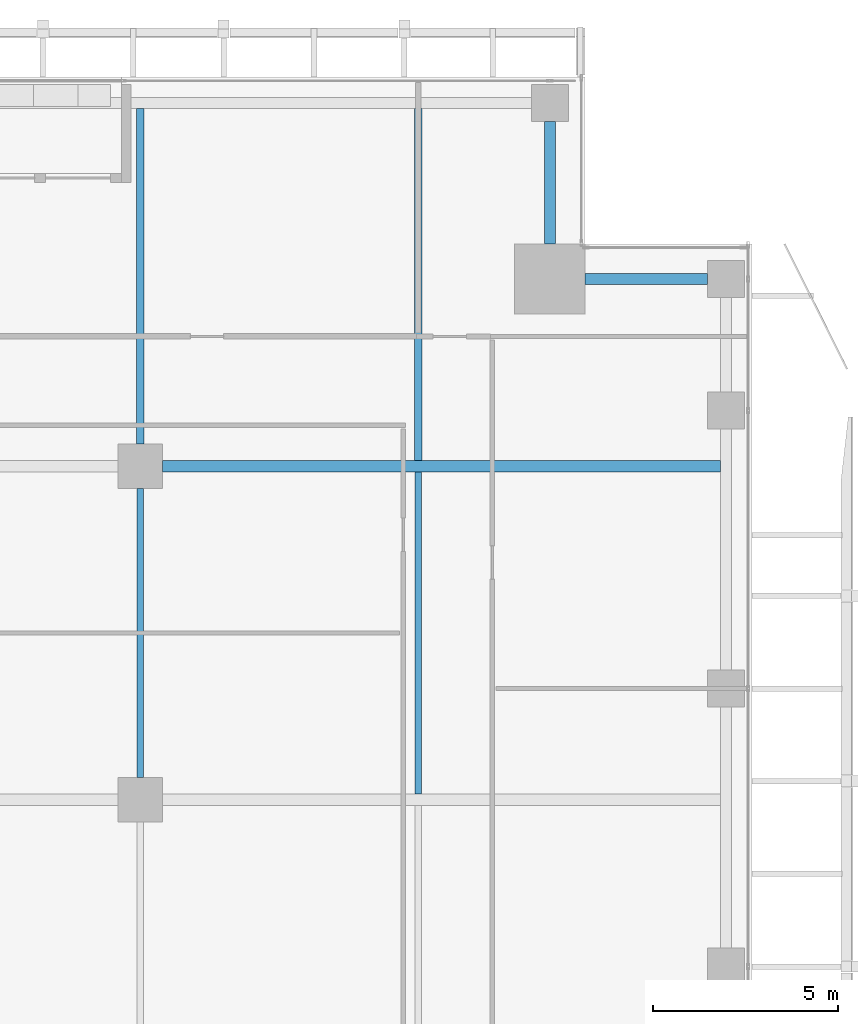
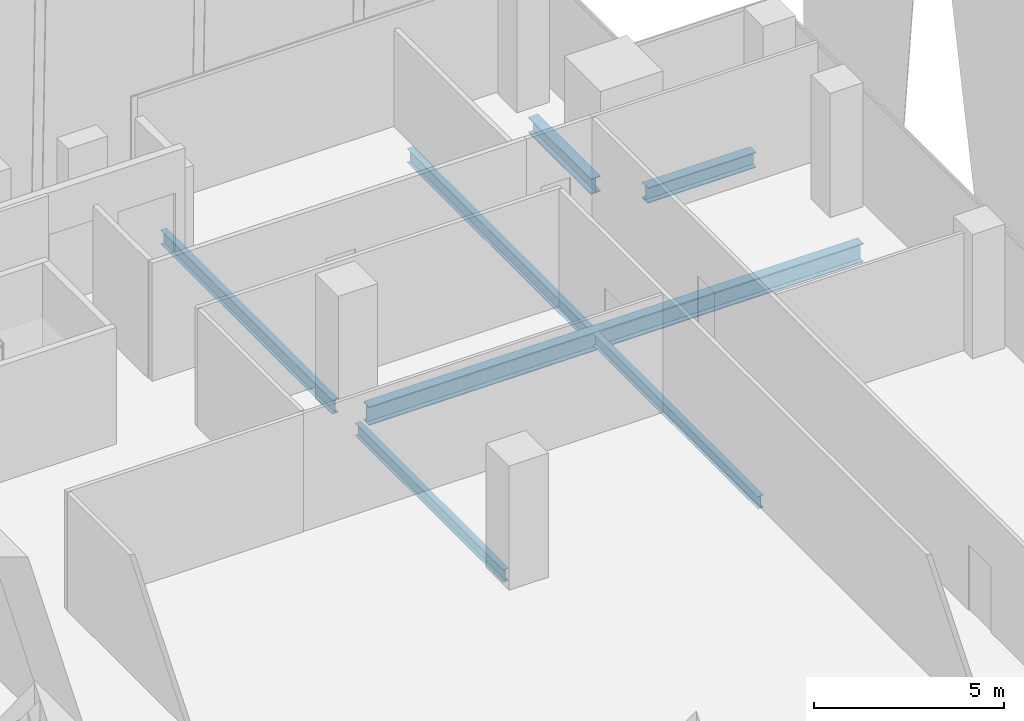
# One storey, part 18 of 35: 7 beams.
"""IFC4 building model written with IfcOpenShell, lengths in metres."""

from ifc_helpers import new_model, si_unit, direction, frame, origin, origin_2d, place, context, subcontext, project, spatial, i_section, extrude, source, transform, mapped, material, material_profile, profile_set, type_object, element, save


model = new_model("IFC4")

# Units and contexts
model_context = context("Model", 3, precision=1e-05, world=origin(), true_north=direction((0.0, 1.0)))
body_context = subcontext(model_context, "Body", "Model", "MODEL_VIEW")
ifc_project = project(units=[si_unit("LENGTHUNIT", "METRE"), si_unit("AREAUNIT", "SQUARE_METRE"), si_unit("VOLUMEUNIT", "CUBIC_METRE"), si_unit("PLANEANGLEUNIT", "RADIAN"), si_unit("MASSUNIT", "GRAM", prefix="KILO")], contexts=[model_context])

# Site, building, storey
site_placement = place(None, origin())
site = spatial("IfcSite", under=ifc_project, at=site_placement, CompositionType="ELEMENT")
building_placement = place(site_placement, origin())
building = spatial("IfcBuilding", under=site, at=building_placement, Name="Khomas Fold Tower", CompositionType="ELEMENT")
storey_placement = place(building_placement, frame((0.0, 0.0, 212.699951171875)))
storey = spatial("IfcBuildingStorey", under=building, at=storey_placement, Name="L47", CompositionType="ELEMENT", Elevation=212.699951171875)

# Beams
ifc_material_1 = material(Name="Steel S355", Category="steel")
ifc_material_profile_1 = material_profile(ifc_material_1, i_section(OverallWidth=0.179931640625, OverallDepth=0.39990234375, WebThickness=0.008544921875, FlangeThickness=0.013427734375, at=origin_2d()), Name="IPE 400")
ifc_profile_set_1 = profile_set([ifc_material_profile_1], Name="Steel S355")
beam_type_1 = type_object("IfcBeamType", Name="IPE 400 beam JB3", PredefinedType="BEAM", material=ifc_profile_set_1)
shared_shape_1 = source(origin(), body_context, "Body", "SweptSolid", [
    extrude(i_section(OverallWidth=0.179931640625, OverallDepth=0.39990234375, WebThickness=0.008544921875, FlangeThickness=0.013427734375, at=origin_2d()), origin(), (0.0, 0.0, 1.0), 8.7001953125),
])
beam_1_placement = place(storey_placement, frame((42.0, 31.64990234375, -0.449951171875), z_axis=(0.0, 1.0, 0.0), x_axis=(-1.0, 0.0, 0.0)))
element("IfcBeam", 1, at=beam_1_placement, inside=storey, type_object=beam_type_1, Name="JB3", PredefinedType="BEAM", context=body_context, shape_type="MappedRepresentation", body=[
    mapped(shared_shape_1, transform((0.0, 0.0, 0.0))),
])
ifc_material_2 = material(Name="Steel S355", Category="steel")
ifc_material_profile_2 = material_profile(ifc_material_2, i_section(OverallWidth=0.300048828125, OverallDepth=0.5, WebThickness=0.014404296875, FlangeThickness=0.028076171875, at=origin_2d()), Name="HE 500 B")
ifc_profile_set_2 = profile_set([ifc_material_profile_2], Name="Steel S355")
beam_type_2 = type_object("IfcBeamType", Name="HE 500 B spandrel SB3", PredefinedType="SPANDREL", material=ifc_profile_set_2)
shared_shape_2 = source(origin(), body_context, "Body", "SweptSolid", [
    extrude(i_section(OverallWidth=0.300048828125, OverallDepth=0.5, WebThickness=0.014404296875, FlangeThickness=0.028076171875, at=origin_2d()), origin(), (0.0, 0.0, 1.0), 3.300048828125),
])
for number, where, z_axis, x_axis, name in (
    (2, (46.5, 45.550048828125, -0.5), (1.0, 0.0, 0.0), (0.0, 1.0, 0.0), "SB3"),
    (3, (45.550048828125, 46.5, -0.5), (0.0, 1.0, 0.0), (-1.0, 0.0, 0.0), "SB3"),
):
    element("IfcBeam", number, at=place(storey_placement, frame(where, z_axis=z_axis, x_axis=x_axis)), inside=storey, type_object=beam_type_2, Name=name, PredefinedType="SPANDREL", context=body_context, shape_type="MappedRepresentation", body=[
        mapped(shared_shape_2, transform((0.0, 0.0, 0.0))),
    ])
ifc_material_3 = material(Name="Steel S355", Category="steel")
ifc_material_profile_3 = material_profile(ifc_material_3, i_section(OverallWidth=0.300048828125, OverallDepth=0.60009765625, WebThickness=0.015380859375, FlangeThickness=0.030029296875, at=origin_2d()), Name="HE 600 B")
ifc_profile_set_3 = profile_set([ifc_material_profile_3], Name="Steel S355")
beam_type_3 = type_object("IfcBeamType", Name="HE 600 B beam GB5", PredefinedType="BEAM", material=ifc_profile_set_3)
shared_shape_3 = source(origin(), body_context, "Body", "SweptSolid", [
    extrude(i_section(OverallWidth=0.300048828125, OverallDepth=0.60009765625, WebThickness=0.015380859375, FlangeThickness=0.030029296875, at=origin_2d()), origin(), (0.0, 0.0, 1.0), 15.0498046875),
])
beam_2_placement = place(storey_placement, frame((35.10009765625, 40.5, -0.550048828125), z_axis=(1.0, 0.0, 0.0), x_axis=(0.0, 1.0, 0.0)))
element("IfcBeam", 4, at=beam_2_placement, inside=storey, type_object=beam_type_3, Name="GB5", PredefinedType="BEAM", context=body_context, shape_type="MappedRepresentation", body=[
    mapped(shared_shape_3, transform((0.0, 0.0, 0.0))),
])
shared_shape_4 = source(origin(), body_context, "Body", "SweptSolid", [
    extrude(i_section(OverallWidth=0.179931640625, OverallDepth=0.39990234375, WebThickness=0.008544921875, FlangeThickness=0.013427734375, at=origin_2d()), origin(), (0.0, 0.0, 1.0), 7.7998046875),
])
beam_3_placement = place(storey_placement, frame((34.5, 32.10009765625, -0.449951171875), z_axis=(0.0, 1.0, 0.0), x_axis=(-1.0, 0.0, 0.0)))
element("IfcBeam", 5, at=beam_3_placement, inside=storey, type_object=beam_type_1, Name="JB3", PredefinedType="BEAM", context=body_context, shape_type="MappedRepresentation", body=[
    mapped(shared_shape_4, transform((0.0, 0.0, 0.0))),
])
ifc_material_4 = material(Name="Steel S355", Category="steel")
ifc_material_profile_4 = material_profile(ifc_material_4, i_section(OverallWidth=0.18994140625, OverallDepth=0.449951171875, WebThickness=0.009521484375, FlangeThickness=0.0146484375, at=origin_2d()), Name="IPE 450")
ifc_profile_set_4 = profile_set([ifc_material_profile_4], Name="Steel S355")
beam_type_4 = type_object("IfcBeamType", Name="IPE 450 beam JB4", PredefinedType="BEAM", material=ifc_profile_set_4)
shared_shape_5 = source(origin(), body_context, "Body", "SweptSolid", [
    extrude(i_section(OverallWidth=0.18994140625, OverallDepth=0.449951171875, WebThickness=0.009521484375, FlangeThickness=0.0146484375, at=origin_2d()), origin(), (0.0, 0.0, 1.0), 9.5),
])
beam_4_placement = place(storey_placement, frame((42.0, 40.64990234375, -0.474853515625), z_axis=(0.0, 1.0, 0.0), x_axis=(-1.0, 0.0, 0.0)))
element("IfcBeam", 6, at=beam_4_placement, inside=storey, type_object=beam_type_4, Name="JB4", PredefinedType="BEAM", context=body_context, shape_type="MappedRepresentation", body=[
    mapped(shared_shape_5, transform((0.0, 0.0, 0.0))),
])
shared_shape_6 = source(origin(), body_context, "Body", "SweptSolid", [
    extrude(i_section(OverallWidth=0.18994140625, OverallDepth=0.449951171875, WebThickness=0.009521484375, FlangeThickness=0.0146484375, at=origin_2d()), origin(), (0.0, 0.0, 1.0), 9.0498046875),
])
beam_5_placement = place(storey_placement, frame((34.5, 41.10009765625, -0.474853515625), z_axis=(0.0, 1.0, 0.0), x_axis=(-1.0, 0.0, 0.0)))
element("IfcBeam", 7, at=beam_5_placement, inside=storey, type_object=beam_type_4, Name="JB4", PredefinedType="BEAM", context=body_context, shape_type="MappedRepresentation", body=[
    mapped(shared_shape_6, transform((0.0, 0.0, 0.0))),
])

save(model, "model.ifc")
